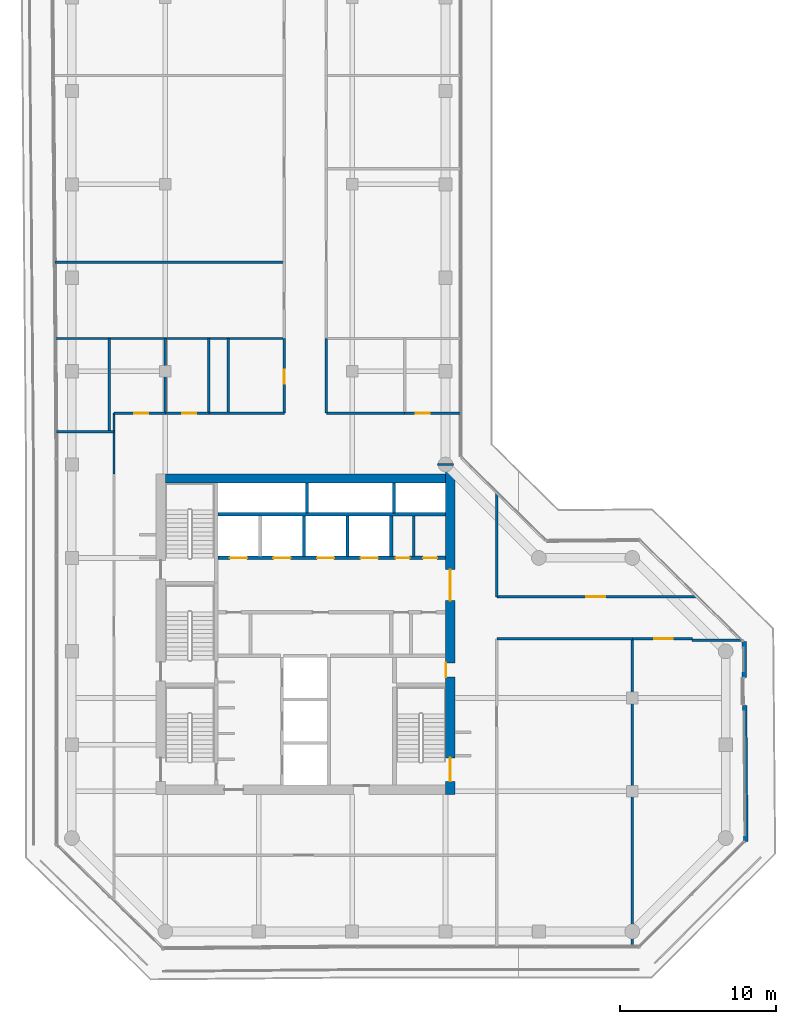
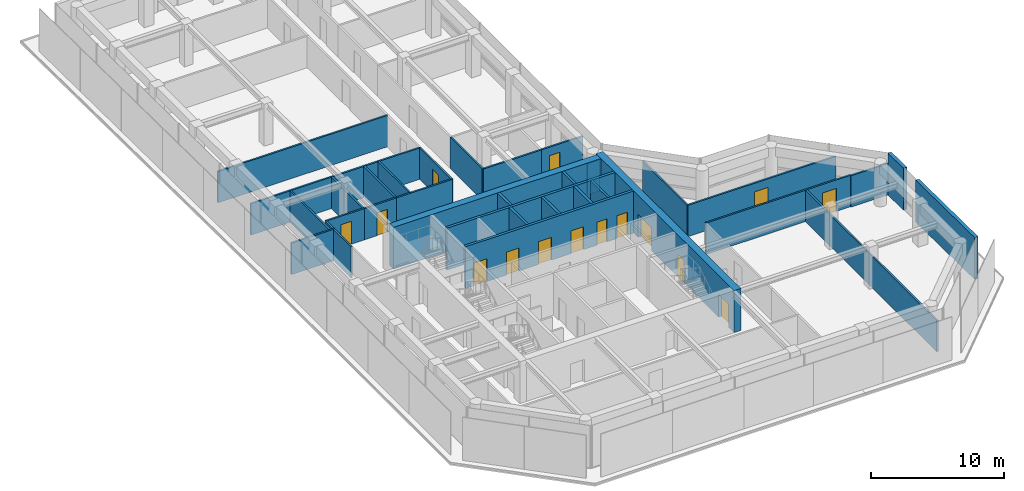
# One storey, part 16 of 19: 34 walls, 15 doors, 15 openings.
"""IFC4 building model written with IfcOpenShell, lengths in metres."""

from ifc_helpers import new_model, si_unit, direction, frame, frame_2d, origin, place, context, subcontext, project, spatial, rectangle, extrude, material, layer, layer_set, type_object, element, fill, save


model = new_model("IFC4")

# Units and contexts
model_context = context("Model", 3, precision=1e-05, world=origin(), true_north=direction((0.0, 1.0)))
body_context = subcontext(model_context, "Body", "Model", "MODEL_VIEW")
ifc_project = project(units=[si_unit("LENGTHUNIT", "METRE"), si_unit("AREAUNIT", "SQUARE_METRE"), si_unit("VOLUMEUNIT", "CUBIC_METRE"), si_unit("PLANEANGLEUNIT", "RADIAN"), si_unit("MASSUNIT", "GRAM", prefix="KILO")], contexts=[model_context])

# Site, building, storey
site_placement = place(None, origin())
site = spatial("IfcSite", under=ifc_project, at=site_placement, CompositionType="ELEMENT")
building_placement = place(site_placement, origin())
building = spatial("IfcBuilding", under=site, at=building_placement, Name="Welwitschia Terrace Campus", CompositionType="ELEMENT")
storey_placement = place(building_placement, frame((0.0, 0.0, 171.800048828125)))
storey = spatial("IfcBuildingStorey", under=building, at=storey_placement, Name="L38", CompositionType="ELEMENT", Elevation=171.800048828125)

# Wall
ifc_material_1 = material(Name="Concrete C32/40", Category="concrete")
ifc_layer_1 = layer(ifc_material_1, 0.175048828125)
ifc_layer_set_1 = layer_set([ifc_layer_1], Name="Concrete C32/40")
wall_type_1 = type_object("IfcWallType", Name="Core partition 175 Concrete C32/40", PredefinedType="PARTITIONING", material=ifc_layer_set_1)
wall_1_placement = place(storey_placement, frame((21.9599609375, 20.10009765625, 0.0), z_axis=(0.0, 0.0, 1.0), x_axis=(0.0, 1.0, 0.0)))
element("IfcWall", 1, at=wall_1_placement, inside=storey, type_object=wall_type_1, Name="Core partition", PredefinedType="PARTITIONING", context=body_context, shape_type="SweptSolid", body=[
    extrude(rectangle(XDim=2.599853515625, YDim=0.175048828125, at=frame_2d((1.2998046875, 0.0))), origin(), (0.0, 0.0, 1.0), 3.849853515625),
])

# Wall, openings, doors
ifc_material_2 = material(Name="Concrete C32/40", Category="concrete")
ifc_layer_2 = layer(ifc_material_2, 0.22509765625)
ifc_layer_set_2 = layer_set([ifc_layer_2], Name="Concrete C32/40")
wall_type_2 = type_object("IfcWallType", Name="Core partition 225 Concrete C32/40", PredefinedType="PARTITIONING", material=ifc_layer_set_2)
wall_2_placement = place(storey_placement, frame((24.0, 20.0, 0.0), z_axis=(0.0, 0.0, 1.0), x_axis=(-1.0, 0.0, 0.0)))
wall_2 = element("IfcWall", 2, at=wall_2_placement, inside=storey, type_object=wall_type_2, Name="Shaft wall", PredefinedType="PARTITIONING", context=body_context, shape_type="SweptSolid", body=[
    extrude(rectangle(XDim=14.60009765625, YDim=0.22509765625, at=frame_2d((7.300048828125, 0.0))), origin(), (0.0, 0.0, 1.0), 3.849853515625),
])
opening_1_placement = place(wall_2_placement, frame((12.75, 0.0, 0.0)))
opening_1 = element("IfcOpeningElement", 3, at=opening_1_placement, cuts=wall_2, Name="Opening LD", PredefinedType="OPENING", context=body_context, shape_type="SweptSolid", body=[
    extrude(rectangle(XDim=1.10009765625, YDim=2.10009765625, at=frame_2d((0.550048828125, 1.050048828125))), frame((0.0, 0.12255859375, 0.0), z_axis=(0.0, -1.0, 0.0), x_axis=(1.0, 0.0, 0.0)), (0.0, 0.0, 1.0), 0.2451171875),
])
opening_2_placement = place(wall_2_placement, frame((9.949951171875, 0.0, 0.0)))
opening_2 = element("IfcOpeningElement", 4, at=opening_2_placement, cuts=wall_2, Name="Opening LD", PredefinedType="OPENING", context=body_context, shape_type="SweptSolid", body=[
    extrude(rectangle(XDim=1.10009765625, YDim=2.10009765625, at=frame_2d((0.550048828125, 1.050048828125))), frame((0.0, 0.12255859375, 0.0), z_axis=(0.0, -1.0, 0.0), x_axis=(1.0, 0.0, 0.0)), (0.0, 0.0, 1.0), 0.2451171875),
])
opening_3_placement = place(wall_2_placement, frame((7.14990234375, 0.0, 0.0)))
opening_3 = element("IfcOpeningElement", 5, at=opening_3_placement, cuts=wall_2, Name="Opening LD", PredefinedType="OPENING", context=body_context, shape_type="SweptSolid", body=[
    extrude(rectangle(XDim=1.10009765625, YDim=2.10009765625, at=frame_2d((0.550048828125, 1.050048828125))), frame((0.0, 0.12255859375, 0.0), z_axis=(0.0, -1.0, 0.0), x_axis=(1.0, 0.0, 0.0)), (0.0, 0.0, 1.0), 0.2451171875),
])
opening_4_placement = place(wall_2_placement, frame((4.35009765625, 0.0, 0.0)))
opening_4 = element("IfcOpeningElement", 6, at=opening_4_placement, cuts=wall_2, Name="Opening LD", PredefinedType="OPENING", context=body_context, shape_type="SweptSolid", body=[
    extrude(rectangle(XDim=1.10009765625, YDim=2.10009765625, at=frame_2d((0.550048828125, 1.050048828125))), frame((0.0, 0.12255859375, 0.0), z_axis=(0.0, -1.0, 0.0), x_axis=(1.0, 0.0, 0.0)), (0.0, 0.0, 1.0), 0.2451171875),
])
opening_5_placement = place(wall_2_placement, frame((2.3076171875, 0.0, 0.0)))
opening_5 = element("IfcOpeningElement", 7, at=opening_5_placement, cuts=wall_2, Name="Opening DR09", PredefinedType="OPENING", context=body_context, shape_type="SweptSolid", body=[
    extrude(rectangle(XDim=0.89990234375, YDim=2.10009765625, at=frame_2d((0.449951171875, 1.050048828125))), frame((0.0, 0.12255859375, 0.0), z_axis=(0.0, -1.0, 0.0), x_axis=(1.0, 0.0, 0.0)), (0.0, 0.0, 1.0), 0.2451171875),
])
opening_6_placement = place(wall_2_placement, frame((0.532470703125, 0.0, 0.0)))
opening_6 = element("IfcOpeningElement", 8, at=opening_6_placement, cuts=wall_2, Name="Opening DR09", PredefinedType="OPENING", context=body_context, shape_type="SweptSolid", body=[
    extrude(rectangle(XDim=0.89990234375, YDim=2.10009765625, at=frame_2d((0.449951171875, 1.050048828125))), frame((0.0, 0.12255859375, 0.0), z_axis=(0.0, -1.0, 0.0), x_axis=(1.0, 0.0, 0.0)), (0.0, 0.0, 1.0), 0.2451171875),
])
ifc_material_3 = material(Name="Steel S275", Category="steel")
door_type_1 = type_object("IfcDoorType", Name="Core door DR09", OperationType="SINGLE_SWING_LEFT", PredefinedType="DOOR", material=ifc_material_3)
door_1_placement = place(opening_5_placement, origin())
door_1 = element("IfcDoor", 9, at=door_1_placement, inside=storey, type_object=door_type_1, Name="Door EH1-D", OperationType="SINGLE_SWING_LEFT", OverallHeight=2.10009765625, OverallWidth=0.89990234375, PredefinedType="DOOR", context=body_context, shape_type="SweptSolid", body=[
    extrude(rectangle(XDim=0.89990234375, YDim=2.10009765625, at=frame_2d((0.449951171875, 1.050048828125))), frame((0.0, 0.02490234375, 0.0), z_axis=(0.0, -1.0, 0.0), x_axis=(1.0, 0.0, 0.0)), (0.0, 0.0, 1.0), 0.050048828125),
])
fill(opening_5, door_1)
door_2_placement = place(opening_6_placement, origin())
door_2 = element("IfcDoor", 10, at=door_2_placement, inside=storey, type_object=door_type_1, Name="Door EH2-D", OperationType="SINGLE_SWING_LEFT", OverallHeight=2.10009765625, OverallWidth=0.89990234375, PredefinedType="DOOR", context=body_context, shape_type="SweptSolid", body=[
    extrude(rectangle(XDim=0.89990234375, YDim=2.10009765625, at=frame_2d((0.449951171875, 1.050048828125))), frame((0.0, 0.02490234375, 0.0), z_axis=(0.0, -1.0, 0.0), x_axis=(1.0, 0.0, 0.0)), (0.0, 0.0, 1.0), 0.050048828125),
])
fill(opening_6, door_2)
ifc_material_4 = material(Name="Stainless steel 304", Category="steel")
door_type_2 = type_object("IfcDoorType", Name="Lift landing door", OperationType="DOUBLE_DOOR_SLIDING", PredefinedType="DOOR", material=ifc_material_4)
door_3_placement = place(opening_1_placement, origin())
door_3 = element("IfcDoor", 11, at=door_3_placement, inside=storey, type_object=door_type_2, Name="Landing door HR1", OperationType="DOUBLE_DOOR_SLIDING", OverallHeight=2.10009765625, OverallWidth=1.10009765625, PredefinedType="DOOR", context=body_context, shape_type="SweptSolid", body=[
    extrude(rectangle(XDim=1.10009765625, YDim=2.10009765625, at=frame_2d((0.550048828125, 1.050048828125))), frame((0.0, 0.02490234375, 0.0), z_axis=(0.0, -1.0, 0.0), x_axis=(1.0, 0.0, 0.0)), (0.0, 0.0, 1.0), 0.050048828125),
])
fill(opening_1, door_3)
door_4_placement = place(opening_2_placement, origin())
door_4 = element("IfcDoor", 12, at=door_4_placement, inside=storey, type_object=door_type_2, Name="Landing door HR2", OperationType="DOUBLE_DOOR_SLIDING", OverallHeight=2.10009765625, OverallWidth=1.10009765625, PredefinedType="DOOR", context=body_context, shape_type="SweptSolid", body=[
    extrude(rectangle(XDim=1.10009765625, YDim=2.10009765625, at=frame_2d((0.550048828125, 1.050048828125))), frame((0.0, 0.02490234375, 0.0), z_axis=(0.0, -1.0, 0.0), x_axis=(1.0, 0.0, 0.0)), (0.0, 0.0, 1.0), 0.050048828125),
])
fill(opening_2, door_4)
door_5_placement = place(opening_3_placement, origin())
door_5 = element("IfcDoor", 13, at=door_5_placement, inside=storey, type_object=door_type_2, Name="Landing door HR3", OperationType="DOUBLE_DOOR_SLIDING", OverallHeight=2.10009765625, OverallWidth=1.10009765625, PredefinedType="DOOR", context=body_context, shape_type="SweptSolid", body=[
    extrude(rectangle(XDim=1.10009765625, YDim=2.10009765625, at=frame_2d((0.550048828125, 1.050048828125))), frame((0.0, 0.02490234375, 0.0), z_axis=(0.0, -1.0, 0.0), x_axis=(1.0, 0.0, 0.0)), (0.0, 0.0, 1.0), 0.050048828125),
])
fill(opening_3, door_5)
door_6_placement = place(opening_4_placement, origin())
door_6 = element("IfcDoor", 14, at=door_6_placement, inside=storey, type_object=door_type_2, Name="Landing door HR4", OperationType="DOUBLE_DOOR_SLIDING", OverallHeight=2.10009765625, OverallWidth=1.10009765625, PredefinedType="DOOR", context=body_context, shape_type="SweptSolid", body=[
    extrude(rectangle(XDim=1.10009765625, YDim=2.10009765625, at=frame_2d((0.550048828125, 1.050048828125))), frame((0.0, 0.02490234375, 0.0), z_axis=(0.0, -1.0, 0.0), x_axis=(1.0, 0.0, 0.0)), (0.0, 0.0, 1.0), 0.050048828125),
])
fill(opening_4, door_6)

# Walls
wall_3_placement = place(storey_placement, frame((9.39990234375, 22.800048828125, 0.0), z_axis=(0.0, 0.0, 1.0), x_axis=(1.0, 0.0, 0.0)))
element("IfcWall", 15, at=wall_3_placement, inside=storey, type_object=wall_type_2, Name="Shaft wall", PredefinedType="PARTITIONING", context=body_context, shape_type="SweptSolid", body=[
    extrude(rectangle(XDim=14.60009765625, YDim=0.22509765625, at=frame_2d((7.300048828125, 0.0))), origin(), (0.0, 0.0, 1.0), 3.849853515625),
])
wall_4_placement = place(storey_placement, frame((20.5, 20.10009765625, 0.0), z_axis=(0.0, 0.0, 1.0), x_axis=(0.0, 1.0, 0.0)))
element("IfcWall", 16, at=wall_4_placement, inside=storey, type_object=wall_type_2, Name="Shaft wall", PredefinedType="PARTITIONING", context=body_context, shape_type="SweptSolid", body=[
    extrude(rectangle(XDim=2.599853515625, YDim=0.22509765625, at=frame_2d((1.2998046875, 0.0))), origin(), (0.0, 0.0, 1.0), 3.849853515625),
])
ifc_material_5 = material(Name="Concrete C50/60", Category="concrete")
ifc_layer_3 = layer(ifc_material_5, 0.199951171875)
ifc_layer_set_3 = layer_set([ifc_layer_3], Name="Concrete C50/60")
wall_type_3 = type_object("IfcWallType", Name="Core wall 200 Concrete C50/60", PredefinedType="SHEAR", material=ifc_layer_set_3)
for number, where, z_axis, x_axis, name in (
    (17, (15.10009765625, 22.89990234375, 0.0), (0.0, 0.0, 1.0), (0.0, 1.0, 0.0), "Core wall"),
    (18, (20.699951171875, 22.89990234375, 0.0), (0.0, 0.0, 1.0), (0.0, 1.0, 0.0), "Core wall"),
):
    element("IfcWall", number, at=place(storey_placement, frame(where, z_axis=z_axis, x_axis=x_axis)), inside=storey, type_object=wall_type_3, Name=name, PredefinedType="SHEAR", context=body_context, shape_type="SweptSolid", body=[
        extrude(rectangle(XDim=1.900146484375, YDim=0.199951171875, at=frame_2d((0.9501953125, 0.0))), origin(), (0.0, 0.0, 1.0), 3.849853515625),
    ])

# Wall, openings, doors
ifc_material_6 = material(Name="Concrete C60/75", Category="concrete")
ifc_layer_4 = layer(ifc_material_6, 0.60009765625)
ifc_layer_set_4 = layer_set([ifc_layer_4], Name="Concrete C60/75")
wall_type_4 = type_object("IfcWallType", Name="Core wall 600 Concrete C60/75", PredefinedType="SHEAR", material=ifc_layer_set_4)
wall_5_placement = place(storey_placement, frame((24.300048828125, 25.554931640625, 0.0), z_axis=(0.0, 0.0, 1.0), x_axis=(0.0, -1.0, 0.0)))
wall_5 = element("IfcWall", 19, at=wall_5_placement, inside=storey, type_object=wall_type_4, Name="Core outer wall", PredefinedType="SHEAR", context=body_context, shape_type="SweptSolid", body=[
    extrude(rectangle(XDim=20.7548828125, YDim=0.60009765625, at=frame_2d((10.37744140625, 0.0))), origin(), (0.0, 0.0, 1.0), 3.849853515625),
])
opening_7_placement = place(wall_5_placement, frame((18.405029296875, 0.0, 0.0)))
opening_7 = element("IfcOpeningElement", 20, at=opening_7_placement, cuts=wall_5, Name="Opening DS15", PredefinedType="OPENING", context=body_context, shape_type="SweptSolid", body=[
    extrude(rectangle(XDim=1.5, YDim=2.10009765625, at=frame_2d((0.75, 1.050048828125))), frame((0.0, 0.31005859375, 0.0), z_axis=(0.0, -1.0, 0.0), x_axis=(1.0, 0.0, 0.0)), (0.0, 0.0, 1.0), 0.6201171875),
])
opening_8_placement = place(wall_5_placement, frame((12.304931640625, 0.0, 0.0)))
opening_8 = element("IfcOpeningElement", 21, at=opening_8_placement, cuts=wall_5, Name="Opening DR09", PredefinedType="OPENING", context=body_context, shape_type="SweptSolid", body=[
    extrude(rectangle(XDim=0.89990234375, YDim=2.10009765625, at=frame_2d((0.449951171875, 1.050048828125))), frame((0.0, 0.31005859375, 0.0), z_axis=(0.0, -1.0, 0.0), x_axis=(1.0, 0.0, 0.0)), (0.0, 0.0, 1.0), 0.6201171875),
])
opening_9_placement = place(wall_5_placement, frame((6.304931640625, 0.0, 0.0)))
opening_9 = element("IfcOpeningElement", 22, at=opening_9_placement, cuts=wall_5, Name="Opening DL20", PredefinedType="OPENING", context=body_context, shape_type="SweptSolid", body=[
    extrude(rectangle(XDim=2.0, YDim=2.10009765625, at=frame_2d((1.0, 1.050048828125))), frame((0.0, 0.31005859375, 0.0), z_axis=(0.0, -1.0, 0.0), x_axis=(1.0, 0.0, 0.0)), (0.0, 0.0, 1.0), 0.6201171875),
])
ifc_material_7 = material(Name="Steel S275", Category="steel")
door_type_3 = type_object("IfcDoorType", Name="Core door DL20", OperationType="DOUBLE_DOOR_SINGLE_SWING", PredefinedType="DOOR", material=ifc_material_7)
door_7_placement = place(opening_9_placement, origin())
door_7 = element("IfcDoor", 23, at=door_7_placement, inside=storey, type_object=door_type_3, Name="Door LOBBY-out", OperationType="DOUBLE_DOOR_SINGLE_SWING", OverallHeight=2.10009765625, OverallWidth=2.0, PredefinedType="DOOR", context=body_context, shape_type="SweptSolid", body=[
    extrude(rectangle(XDim=2.0, YDim=2.10009765625, at=frame_2d((1.0, 1.050048828125))), frame((0.0, 0.02490234375, 0.0), z_axis=(0.0, -1.0, 0.0), x_axis=(1.0, 0.0, 0.0)), (0.0, 0.0, 1.0), 0.050048828125),
])
fill(opening_9, door_7)
door_8_placement = place(opening_8_placement, origin())
door_8 = element("IfcDoor", 24, at=door_8_placement, inside=storey, type_object=door_type_1, Name="Door F1B-out", OperationType="SINGLE_SWING_RIGHT", OverallHeight=2.10009765625, OverallWidth=0.89990234375, PredefinedType="DOOR", context=body_context, shape_type="SweptSolid", body=[
    extrude(rectangle(XDim=0.89990234375, YDim=2.10009765625, at=frame_2d((0.449951171875, 1.050048828125))), frame((0.0, -0.23974609375, 0.0), z_axis=(0.0, -1.0, 0.0), x_axis=(1.0, 0.0, 0.0)), (0.0, 0.0, 1.0), 0.050048828125),
])
fill(opening_8, door_8)
ifc_material_8 = material(Name="Steel S275", Category="steel")
door_type_4 = type_object("IfcDoorType", Name="Core door DS15", OperationType="DOUBLE_DOOR_SINGLE_SWING", PredefinedType="DOOR", material=ifc_material_8)
door_9_placement = place(opening_7_placement, origin())
door_9 = element("IfcDoor", 25, at=door_9_placement, inside=storey, type_object=door_type_4, Name="Door S2-out", OperationType="DOUBLE_DOOR_SINGLE_SWING", OverallHeight=2.10009765625, OverallWidth=1.5, PredefinedType="DOOR", context=body_context, shape_type="SweptSolid", body=[
    extrude(rectangle(XDim=1.5, YDim=2.10009765625, at=frame_2d((0.75, 1.050048828125))), frame((0.0, 0.02490234375, 0.0), z_axis=(0.0, -1.0, 0.0), x_axis=(1.0, 0.0, 0.0)), (0.0, 0.0, 1.0), 0.050048828125),
])
fill(opening_7, door_9)

# Walls
wall_6_placement = place(storey_placement, frame((6.0, 25.10009765625, 0.0), z_axis=(0.0, 0.0, 1.0), x_axis=(1.0, 0.0, 0.0)))
element("IfcWall", 26, at=wall_6_placement, inside=storey, type_object=wall_type_4, Name="Core outer wall", PredefinedType="SHEAR", context=body_context, shape_type="SweptSolid", body=[
    extrude(rectangle(XDim=18.0, YDim=0.60009765625, at=frame_2d((9.0, 0.0))), origin(), (0.0, 0.0, 1.0), 3.849853515625),
])
ifc_material_9 = material(Name="Gypsum board on steel studs", Category="steel")
ifc_layer_5 = layer(ifc_material_9, 0.14990234375)
ifc_layer_set_5 = layer_set([ifc_layer_5], Name="Gypsum board on steel studs")
wall_type_5 = type_object("IfcWallType", Name="Corridor partition 150 EI 30", PredefinedType="PARTITIONING", material=ifc_layer_set_5)
wall_7_placement = place(storey_placement, frame((-1.090087890625, 39.0, 0.0), z_axis=(0.0, 0.0, 1.0), x_axis=(1.0, 0.0, 0.0)))
element("IfcWall", 27, at=wall_7_placement, inside=storey, type_object=wall_type_5, Name="Partition", PredefinedType="PARTITIONING", context=body_context, shape_type="SweptSolid", body=[
    extrude(rectangle(XDim=14.739990234375, YDim=0.14990234375, at=frame_2d((7.3701171875, 0.0))), origin(), (0.0, 0.0, 1.0), 2.8798828125),
])
wall_8_placement = place(storey_placement, frame((-1.050048828125, 34.10009765625, 0.0), z_axis=(0.0, 0.0, 1.0), x_axis=(1.0, 0.0, 0.0)))
element("IfcWall", 28, at=wall_8_placement, inside=storey, type_object=wall_type_5, Name="Partition", PredefinedType="PARTITIONING", context=body_context, shape_type="SweptSolid", body=[
    extrude(rectangle(XDim=14.699951171875, YDim=0.14990234375, at=frame_2d((7.35009765625, 0.0))), origin(), (0.0, 0.0, 1.0), 2.8798828125),
])
wall_9_placement = place(storey_placement, frame((-1.0, 28.10009765625, 0.0), z_axis=(0.0, 0.0, 1.0), x_axis=(1.0, 0.0, 0.0)))
element("IfcWall", 29, at=wall_9_placement, inside=storey, type_object=wall_type_5, Name="Partition", PredefinedType="PARTITIONING", context=body_context, shape_type="SweptSolid", body=[
    extrude(rectangle(XDim=3.699951171875, YDim=0.14990234375, at=frame_2d((1.85009765625, 0.0))), origin(), (0.0, 0.0, 1.0), 2.8798828125),
])
wall_10_placement = place(storey_placement, frame((2.39990234375, 28.10009765625, 0.0), z_axis=(0.0, 0.0, 1.0), x_axis=(0.0, 1.0, 0.0)))
element("IfcWall", 30, at=wall_10_placement, inside=storey, type_object=wall_type_5, Name="Partition", PredefinedType="PARTITIONING", context=body_context, shape_type="SweptSolid", body=[
    extrude(rectangle(XDim=6.0, YDim=0.14990234375, at=frame_2d((3.0, 0.0))), origin(), (0.0, 0.0, 1.0), 2.8798828125),
])
wall_11_placement = place(storey_placement, frame((2.699951171875, 25.39990234375, 0.0), z_axis=(0.0, 0.0, 1.0), x_axis=(0.0, 1.0, 0.0)))
element("IfcWall", 31, at=wall_11_placement, inside=storey, type_object=wall_type_5, Name="Partition", PredefinedType="PARTITIONING", context=body_context, shape_type="SweptSolid", body=[
    extrude(rectangle(XDim=3.900146484375, YDim=0.14990234375, at=frame_2d((1.9501953125, 0.0))), origin(), (0.0, 0.0, 1.0), 2.8798828125),
])

# Wall, opening, door
wall_12_placement = place(storey_placement, frame((2.699951171875, 29.300048828125, 0.0), z_axis=(0.0, 0.0, 1.0), x_axis=(1.0, 0.0, 0.0)))
wall_12 = element("IfcWall", 32, at=wall_12_placement, inside=storey, type_object=wall_type_5, Name="Partition", PredefinedType="PARTITIONING", context=body_context, shape_type="SweptSolid", body=[
    extrude(rectangle(XDim=3.300048828125, YDim=0.14990234375, at=frame_2d((1.64990234375, 0.0))), origin(), (0.0, 0.0, 1.0), 2.8798828125),
])
opening_10_placement = place(wall_12_placement, frame((1.300048828125, 0.0, 0.0)))
opening_10 = element("IfcOpeningElement", 33, at=opening_10_placement, cuts=wall_12, Name="Opening DI09", PredefinedType="OPENING", context=body_context, shape_type="SweptSolid", body=[
    extrude(rectangle(XDim=0.89990234375, YDim=2.10009765625, at=frame_2d((0.449951171875, 1.050048828125))), frame((0.0, 0.0849609375, 0.0), z_axis=(0.0, -1.0, 0.0), x_axis=(1.0, 0.0, 0.0)), (0.0, 0.0, 1.0), 0.169921875),
])
ifc_material_10 = material(Name="Timber veneered door", Category="wood")
door_type_5 = type_object("IfcDoorType", Name="Interior door DI09", OperationType="NOTDEFINED", PredefinedType="DOOR", material=ifc_material_10)
door_10_placement = place(opening_10_placement, origin())
door_10 = element("IfcDoor", 34, at=door_10_placement, inside=storey, type_object=door_type_5, Name="Door L38 759", OperationType="SINGLE_SWING_RIGHT", OverallHeight=2.10009765625, OverallWidth=0.89990234375, PredefinedType="DOOR", context=body_context, shape_type="SweptSolid", body=[
    extrude(rectangle(XDim=0.89990234375, YDim=2.10009765625, at=frame_2d((0.449951171875, 1.050048828125))), frame((0.0, 0.02490234375, 0.0), z_axis=(0.0, -1.0, 0.0), x_axis=(1.0, 0.0, 0.0)), (0.0, 0.0, 1.0), 0.050048828125),
])
fill(opening_10, door_10)

# Wall
wall_13_placement = place(storey_placement, frame((6.0, 29.300048828125, 0.0), z_axis=(0.0, 0.0, 1.0), x_axis=(0.0, 1.0, 0.0)))
element("IfcWall", 35, at=wall_13_placement, inside=storey, type_object=wall_type_5, Name="Partition", PredefinedType="PARTITIONING", context=body_context, shape_type="SweptSolid", body=[
    extrude(rectangle(XDim=4.800048828125, YDim=0.14990234375, at=frame_2d((2.39990234375, 0.0))), origin(), (0.0, 0.0, 1.0), 2.8798828125),
])

# Wall, opening, door
wall_14_placement = place(storey_placement, frame((6.0, 29.300048828125, 0.0), z_axis=(0.0, 0.0, 1.0), x_axis=(1.0, 0.0, 0.0)))
wall_14 = element("IfcWall", 36, at=wall_14_placement, inside=storey, type_object=wall_type_5, Name="Partition", PredefinedType="PARTITIONING", context=body_context, shape_type="SweptSolid", body=[
    extrude(rectangle(XDim=2.800048828125, YDim=0.14990234375, at=frame_2d((1.39990234375, 0.0))), origin(), (0.0, 0.0, 1.0), 2.8798828125),
])
opening_11_placement = place(wall_14_placement, frame((1.10009765625, 0.0, 0.0)))
opening_11 = element("IfcOpeningElement", 37, at=opening_11_placement, cuts=wall_14, Name="Opening DI09", PredefinedType="OPENING", context=body_context, shape_type="SweptSolid", body=[
    extrude(rectangle(XDim=0.89990234375, YDim=2.10009765625, at=frame_2d((0.449951171875, 1.050048828125))), frame((0.0, 0.0849609375, 0.0), z_axis=(0.0, -1.0, 0.0), x_axis=(1.0, 0.0, 0.0)), (0.0, 0.0, 1.0), 0.169921875),
])
door_11_placement = place(opening_11_placement, origin())
door_11 = element("IfcDoor", 38, at=door_11_placement, inside=storey, type_object=door_type_5, Name="Door L38 760", OperationType="SINGLE_SWING_LEFT", OverallHeight=2.10009765625, OverallWidth=0.89990234375, PredefinedType="DOOR", context=body_context, shape_type="SweptSolid", body=[
    extrude(rectangle(XDim=0.89990234375, YDim=2.10009765625, at=frame_2d((0.449951171875, 1.050048828125))), frame((0.0, 0.02490234375, 0.0), z_axis=(0.0, -1.0, 0.0), x_axis=(1.0, 0.0, 0.0)), (0.0, 0.0, 1.0), 0.050048828125),
])
fill(opening_11, door_11)

# Walls
wall_15_placement = place(storey_placement, frame((8.800048828125, 29.300048828125, 0.0), z_axis=(0.0, 0.0, 1.0), x_axis=(0.0, 1.0, 0.0)))
element("IfcWall", 39, at=wall_15_placement, inside=storey, type_object=wall_type_5, Name="Partition", PredefinedType="PARTITIONING", context=body_context, shape_type="SweptSolid", body=[
    extrude(rectangle(XDim=4.800048828125, YDim=0.14990234375, at=frame_2d((2.39990234375, 0.0))), origin(), (0.0, 0.0, 1.0), 2.8798828125),
])
wall_16_placement = place(storey_placement, frame((8.800048828125, 29.300048828125, 0.0), z_axis=(0.0, 0.0, 1.0), x_axis=(1.0, 0.0, 0.0)))
element("IfcWall", 40, at=wall_16_placement, inside=storey, type_object=wall_type_5, Name="Partition", PredefinedType="PARTITIONING", context=body_context, shape_type="SweptSolid", body=[
    extrude(rectangle(XDim=4.849853515625, YDim=0.14990234375, at=frame_2d((2.4248046875, 0.0))), origin(), (0.0, 0.0, 1.0), 2.8798828125),
])
wall_17_placement = place(storey_placement, frame((10.050048828125, 29.300048828125, 0.0), z_axis=(0.0, 0.0, 1.0), x_axis=(0.0, 1.0, 0.0)))
element("IfcWall", 41, at=wall_17_placement, inside=storey, type_object=wall_type_5, Name="Partition", PredefinedType="PARTITIONING", context=body_context, shape_type="SweptSolid", body=[
    extrude(rectangle(XDim=4.800048828125, YDim=0.14990234375, at=frame_2d((2.39990234375, 0.0))), origin(), (0.0, 0.0, 1.0), 2.8798828125),
])

# Wall, opening, door
wall_18_placement = place(storey_placement, frame((13.64990234375, 29.300048828125, 0.0), z_axis=(0.0, 0.0, 1.0), x_axis=(0.0, 1.0, 0.0)))
wall_18 = element("IfcWall", 42, at=wall_18_placement, inside=storey, type_object=wall_type_5, Name="Partition", PredefinedType="PARTITIONING", context=body_context, shape_type="SweptSolid", body=[
    extrude(rectangle(XDim=4.800048828125, YDim=0.14990234375, at=frame_2d((2.39990234375, 0.0))), origin(), (0.0, 0.0, 1.0), 2.8798828125),
])
opening_12_placement = place(wall_18_placement, frame((1.89990234375, 0.0, 0.0)))
opening_12 = element("IfcOpeningElement", 43, at=opening_12_placement, cuts=wall_18, Name="Opening DI09", PredefinedType="OPENING", context=body_context, shape_type="SweptSolid", body=[
    extrude(rectangle(XDim=0.89990234375, YDim=2.10009765625, at=frame_2d((0.449951171875, 1.050048828125))), frame((0.0, 0.0849609375, 0.0), z_axis=(0.0, -1.0, 0.0), x_axis=(1.0, 0.0, 0.0)), (0.0, 0.0, 1.0), 0.169921875),
])
door_12_placement = place(opening_12_placement, origin())
door_12 = element("IfcDoor", 44, at=door_12_placement, inside=storey, type_object=door_type_5, Name="Door L38 761", OperationType="SINGLE_SWING_RIGHT", OverallHeight=2.10009765625, OverallWidth=0.89990234375, PredefinedType="DOOR", context=body_context, shape_type="SweptSolid", body=[
    extrude(rectangle(XDim=0.89990234375, YDim=2.10009765625, at=frame_2d((0.449951171875, 1.050048828125))), frame((0.0, 0.02490234375, 0.0), z_axis=(0.0, -1.0, 0.0), x_axis=(1.0, 0.0, 0.0)), (0.0, 0.0, 1.0), 0.050048828125),
])
fill(opening_12, door_12)

# Walls
wall_19_placement = place(storey_placement, frame((16.35009765625, 29.300048828125, 0.0), z_axis=(0.0, 0.0, 1.0), x_axis=(0.0, 1.0, 0.0)))
element("IfcWall", 45, at=wall_19_placement, inside=storey, type_object=wall_type_5, Name="Partition", PredefinedType="PARTITIONING", context=body_context, shape_type="SweptSolid", body=[
    extrude(rectangle(XDim=4.800048828125, YDim=0.14990234375, at=frame_2d((2.39990234375, 0.0))), origin(), (0.0, 0.0, 1.0), 2.8798828125),
])
wall_20_placement = place(storey_placement, frame((16.35009765625, 29.300048828125, 0.0), z_axis=(0.0, 0.0, 1.0), x_axis=(1.0, 0.0, 0.0)))
element("IfcWall", 46, at=wall_20_placement, inside=storey, type_object=wall_type_5, Name="Partition", PredefinedType="PARTITIONING", context=body_context, shape_type="SweptSolid", body=[
    extrude(rectangle(XDim=5.02978515625, YDim=0.14990234375, at=frame_2d((2.514892578125, 0.0))), origin(), (0.0, 0.0, 1.0), 2.8798828125),
])

# Wall, opening, door
wall_21_placement = place(storey_placement, frame((21.3798828125, 29.300048828125, 0.0), z_axis=(0.0, 0.0, 1.0), x_axis=(1.0, 0.0, 0.0)))
wall_21 = element("IfcWall", 47, at=wall_21_placement, inside=storey, type_object=wall_type_5, Name="Partition", PredefinedType="PARTITIONING", context=body_context, shape_type="SweptSolid", body=[
    extrude(rectangle(XDim=3.60009765625, YDim=0.14990234375, at=frame_2d((1.800048828125, 0.0))), origin(), (0.0, 0.0, 1.0), 2.8798828125),
])
opening_13_placement = place(wall_21_placement, frame((0.699951171875, 0.0, 0.0)))
opening_13 = element("IfcOpeningElement", 48, at=opening_13_placement, cuts=wall_21, Name="Opening DI09", PredefinedType="OPENING", context=body_context, shape_type="SweptSolid", body=[
    extrude(rectangle(XDim=0.89990234375, YDim=2.10009765625, at=frame_2d((0.449951171875, 1.050048828125))), frame((0.0, 0.0849609375, 0.0), z_axis=(0.0, -1.0, 0.0), x_axis=(1.0, 0.0, 0.0)), (0.0, 0.0, 1.0), 0.169921875),
])
door_13_placement = place(opening_13_placement, origin())
door_13 = element("IfcDoor", 49, at=door_13_placement, inside=storey, type_object=door_type_5, Name="Door L38 770", OperationType="SINGLE_SWING_LEFT", OverallHeight=2.10009765625, OverallWidth=0.89990234375, PredefinedType="DOOR", context=body_context, shape_type="SweptSolid", body=[
    extrude(rectangle(XDim=0.89990234375, YDim=2.10009765625, at=frame_2d((0.449951171875, 1.050048828125))), frame((0.0, 0.02490234375, 0.0), z_axis=(0.0, -1.0, 0.0), x_axis=(1.0, 0.0, 0.0)), (0.0, 0.0, 1.0), 0.050048828125),
])
fill(opening_13, door_13)

# Walls
wall_22_placement = place(storey_placement, frame((23.47998046875, 26.0, 0.0), z_axis=(0.0, 0.0, 1.0), x_axis=(1.0, 0.0, 0.0)))
element("IfcWall", 50, at=wall_22_placement, inside=storey, type_object=wall_type_5, Name="Partition", PredefinedType="PARTITIONING", context=body_context, shape_type="SweptSolid", body=[
    extrude(rectangle(XDim=1.050048828125, YDim=0.14990234375, at=frame_2d((0.52490234375, 0.0))), origin(), (0.0, 0.0, 1.0), 2.8798828125),
])
wall_23_placement = place(storey_placement, frame((27.300048828125, 14.800048828125, 0.0), z_axis=(0.0, 0.0, 1.0), x_axis=(1.0, 0.0, 0.0)))
element("IfcWall", 51, at=wall_23_placement, inside=storey, type_object=wall_type_5, Name="Partition", PredefinedType="PARTITIONING", context=body_context, shape_type="SweptSolid", body=[
    extrude(rectangle(XDim=8.699951171875, YDim=0.14990234375, at=frame_2d((4.35009765625, 0.0))), origin(), (0.0, 0.0, 1.0), 2.8798828125),
])
wall_24_placement = place(storey_placement, frame((27.300048828125, 17.5, 0.0), z_axis=(0.0, 0.0, 1.0), x_axis=(0.0, 1.0, 0.0)))
element("IfcWall", 52, at=wall_24_placement, inside=storey, type_object=wall_type_5, Name="Partition", PredefinedType="PARTITIONING", context=body_context, shape_type="SweptSolid", body=[
    extrude(rectangle(XDim=6.679931640625, YDim=0.14990234375, at=frame_2d((3.33984375, 0.0))), origin(), (0.0, 0.0, 1.0), 2.8798828125),
])
wall_25_placement = place(storey_placement, frame((36.0, -4.97998046875, 0.0), z_axis=(0.0, 0.0, 1.0), x_axis=(0.0, 1.0, 0.0)))
element("IfcWall", 53, at=wall_25_placement, inside=storey, type_object=wall_type_5, Name="Partition", PredefinedType="PARTITIONING", context=body_context, shape_type="SweptSolid", body=[
    extrude(rectangle(XDim=19.780029296875, YDim=0.14990234375, at=frame_2d((9.89013671875, 0.0))), origin(), (0.0, 0.0, 1.0), 2.8798828125),
])

# Wall, opening, door
wall_26_placement = place(storey_placement, frame((36.0, 14.800048828125, 0.0), z_axis=(0.0, 0.0, 1.0), x_axis=(1.0, 0.0, 0.0)))
wall_26 = element("IfcWall", 54, at=wall_26_placement, inside=storey, type_object=wall_type_5, Name="Partition", PredefinedType="PARTITIONING", context=body_context, shape_type="SweptSolid", body=[
    extrude(rectangle(XDim=3.8701171875, YDim=0.14990234375, at=frame_2d((1.93505859375, 0.0))), origin(), (0.0, 0.0, 1.0), 2.8798828125),
])
opening_14_placement = place(wall_26_placement, frame((1.39990234375, 0.0, 0.0)))
opening_14 = element("IfcOpeningElement", 55, at=opening_14_placement, cuts=wall_26, Name="Opening DI12", PredefinedType="OPENING", context=body_context, shape_type="SweptSolid", body=[
    extrude(rectangle(XDim=1.199951171875, YDim=2.10009765625, at=frame_2d((0.60009765625, 1.050048828125))), frame((0.0, 0.0849609375, 0.0), z_axis=(0.0, -1.0, 0.0), x_axis=(1.0, 0.0, 0.0)), (0.0, 0.0, 1.0), 0.169921875),
])
ifc_material_11 = material(Name="Timber veneered door", Category="wood")
door_type_6 = type_object("IfcDoorType", Name="Interior door DI12", OperationType="NOTDEFINED", PredefinedType="DOOR", material=ifc_material_11)
door_14_placement = place(opening_14_placement, origin())
door_14 = element("IfcDoor", 56, at=door_14_placement, inside=storey, type_object=door_type_6, Name="Door L38 773", OperationType="SINGLE_SWING_RIGHT", OverallHeight=2.10009765625, OverallWidth=1.199951171875, PredefinedType="DOOR", context=body_context, shape_type="SweptSolid", body=[
    extrude(rectangle(XDim=1.199951171875, YDim=2.10009765625, at=frame_2d((0.60009765625, 1.050048828125))), frame((0.0, 0.02490234375, 0.0), z_axis=(0.0, -1.0, 0.0), x_axis=(1.0, 0.0, 0.0)), (0.0, 0.0, 1.0), 0.050048828125),
])
fill(opening_14, door_14)

# Wall
wall_27_placement = place(storey_placement, frame((39.840087890625, 14.719970703125, 0.0), z_axis=(0.0, 0.0, 1.0), x_axis=(1.0, 0.0, 0.0)))
element("IfcWall", 57, at=wall_27_placement, inside=storey, type_object=wall_type_5, Name="Partition", PredefinedType="PARTITIONING", context=body_context, shape_type="SweptSolid", body=[
    extrude(rectangle(XDim=3.20751953125, YDim=0.14990234375, at=frame_2d((1.603759765625, 0.0))), origin(), (0.0, 0.0, 1.0), 2.8798828125),
])

# Wall, opening, door
wall_28_placement = place(storey_placement, frame((40.14990234375, 17.5, 0.0), z_axis=(0.0, 0.0, 1.0), x_axis=(-1.0, 0.0, 0.0)))
wall_28 = element("IfcWall", 58, at=wall_28_placement, inside=storey, type_object=wall_type_5, Name="Partition", PredefinedType="PARTITIONING", context=body_context, shape_type="SweptSolid", body=[
    extrude(rectangle(XDim=12.849853515625, YDim=0.14990234375, at=frame_2d((6.4248046875, 0.0))), origin(), (0.0, 0.0, 1.0), 2.8798828125),
])
opening_15_placement = place(wall_28_placement, frame((5.89990234375, 0.0, 0.0)))
opening_15 = element("IfcOpeningElement", 59, at=opening_15_placement, cuts=wall_28, Name="Opening DI12", PredefinedType="OPENING", context=body_context, shape_type="SweptSolid", body=[
    extrude(rectangle(XDim=1.199951171875, YDim=2.10009765625, at=frame_2d((0.60009765625, 1.050048828125))), frame((0.0, 0.0849609375, 0.0), z_axis=(0.0, -1.0, 0.0), x_axis=(1.0, 0.0, 0.0)), (0.0, 0.0, 1.0), 0.169921875),
])
door_15_placement = place(opening_15_placement, origin())
door_15 = element("IfcDoor", 60, at=door_15_placement, inside=storey, type_object=door_type_6, Name="Door L38 774", OperationType="SINGLE_SWING_LEFT", OverallHeight=2.10009765625, OverallWidth=1.199951171875, PredefinedType="DOOR", context=body_context, shape_type="SweptSolid", body=[
    extrude(rectangle(XDim=1.199951171875, YDim=2.10009765625, at=frame_2d((0.60009765625, 1.050048828125))), frame((0.0, 0.02490234375, 0.0), z_axis=(0.0, -1.0, 0.0), x_axis=(1.0, 0.0, 0.0)), (0.0, 0.0, 1.0), 0.050048828125),
])
fill(opening_15, door_15)

# Walls
ifc_material_12 = material(Name="Concrete C40/50", Category="concrete")
ifc_layer_6 = layer(ifc_material_12, 0.300048828125)
ifc_layer_set_6 = layer_set([ifc_layer_6], Name="Concrete C40/50")
wall_type_6 = type_object("IfcWallType", Name="Mass wall 300", PredefinedType="SOLIDWALL", material=ifc_layer_set_6)
wall_29_placement = place(storey_placement, frame((43.2958984375, 1.791015625, 0.0), z_axis=(0.0, 0.0, 1.0), x_axis=(-0.008742926817, 0.999961779885, 0.0)))
element("IfcWall", 61, at=wall_29_placement, inside=storey, type_object=wall_type_6, Name="Mass wall L38.6.0", PredefinedType="SOLIDWALL", context=body_context, shape_type="SweptSolid", body=[
    extrude(rectangle(XDim=8.740234375, YDim=0.300048828125, at=frame_2d((4.3701171875, 0.0))), origin(), (0.0, 0.0, 1.0), 3.849853515625),
])
wall_30_placement = place(storey_placement, frame((43.203857421875, 12.330810546875, 0.0), z_axis=(0.0, 0.0, 1.0), x_axis=(-0.00875955838, 0.999961634333, 0.0)))
element("IfcWall", 62, at=wall_30_placement, inside=storey, type_object=wall_type_6, Name="Mass wall L38.6.1", PredefinedType="SOLIDWALL", context=body_context, shape_type="SweptSolid", body=[
    extrude(rectangle(XDim=2.313232421875, YDim=0.300048828125, at=frame_2d((1.15673828125, 0.0))), origin(), (0.0, 0.0, 1.0), 3.849853515625),
])
ifc_material_13 = material(Name="Concrete C32/40", Category="concrete")
ifc_layer_7 = layer(ifc_material_13, 0.199951171875)
ifc_layer_set_7 = layer_set([ifc_layer_7], Name="Concrete C32/40")
wall_type_7 = type_object("IfcWallType", Name="Shaft wall 200 Concrete C32/40", PredefinedType="SOLIDWALL", material=ifc_layer_set_7)
for number, where, z_axis, x_axis, name in (
    (63, (14.89990234375, 20.10009765625, 0.0), (0.0, 0.0, 1.0), (0.0, 1.0, 0.0), "Shaft wall"),
    (64, (17.699951171875, 20.10009765625, 0.0), (0.0, 0.0, 1.0), (0.0, 1.0, 0.0), "Shaft wall"),
):
    element("IfcWall", number, at=place(storey_placement, frame(where, z_axis=z_axis, x_axis=x_axis)), inside=storey, type_object=wall_type_7, Name=name, PredefinedType="SOLIDWALL", context=body_context, shape_type="SweptSolid", body=[
        extrude(rectangle(XDim=2.599853515625, YDim=0.199951171875, at=frame_2d((1.2998046875, 0.0))), origin(), (0.0, 0.0, 1.0), 3.849853515625),
    ])

save(model, "model.ifc")
